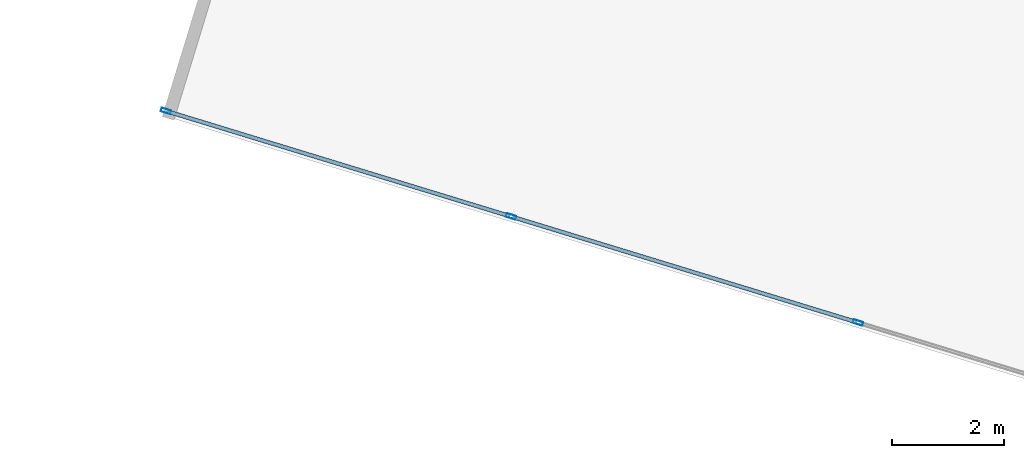
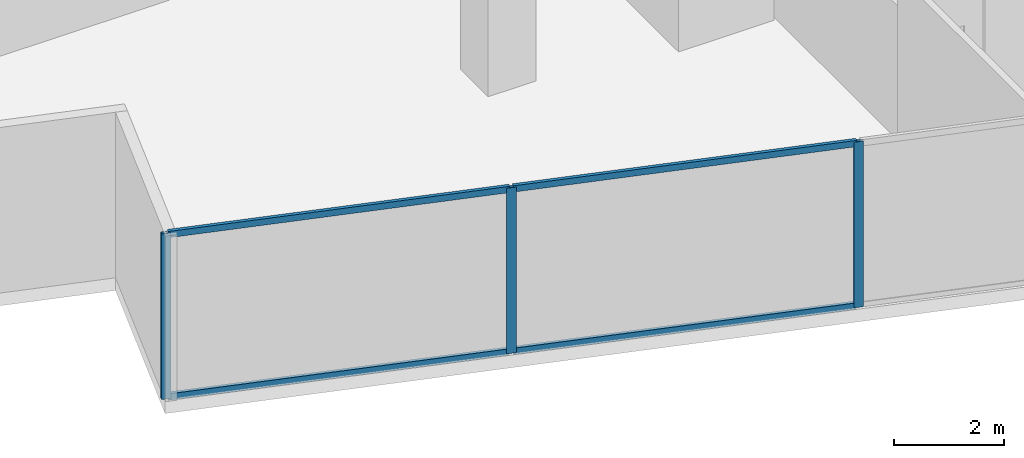
# One storey, part 2 of 26: 7 members, 1 element without a shape of its own.
"""IFC4 building model written with IfcOpenShell, lengths in metres."""

from ifc_helpers import new_model, si_unit, direction, frame, origin, origin_2d, place, context, subcontext, project, spatial, hollow_rectangle, extrude, source, transform, mapped, material, material_profile, profile_set, type_object, type_shapes, element, aggregate, save


model = new_model("IFC4")

# Units and contexts
model_context = context("Model", 3, precision=1e-05, world=origin(), true_north=direction((0.0, 1.0)))
body_context = subcontext(model_context, "Body", "Model", "MODEL_VIEW")
ifc_project = project(units=[si_unit("LENGTHUNIT", "METRE"), si_unit("AREAUNIT", "SQUARE_METRE"), si_unit("VOLUMEUNIT", "CUBIC_METRE"), si_unit("PLANEANGLEUNIT", "RADIAN"), si_unit("MASSUNIT", "GRAM", prefix="KILO")], contexts=[model_context])

# Site, building, storey
site_placement = place(None, origin())
site = spatial("IfcSite", under=ifc_project, at=site_placement, CompositionType="ELEMENT")
building_placement = place(site_placement, origin())
building = spatial("IfcBuilding", under=site, at=building_placement, Name="Krantzveldt Concourse Tower", CompositionType="ELEMENT")
storey_placement = place(building_placement, frame((0.0, 0.0, 113.75)))
storey = spatial("IfcBuildingStorey", under=building, at=storey_placement, Name="L27", CompositionType="ELEMENT", Elevation=113.75)

# Curtain wall, members
ifc_material = material(Name="Anodised aluminium 6063-T6", Category="aluminium")
curtain_wall_type = type_object("IfcCurtainWallType", Name="CW2", PredefinedType="USERDEFINED", material=ifc_material)
curtain_wall_placement = place(storey_placement, origin())
curtain_wall = element("IfcCurtainWall", 1, at=curtain_wall_placement, inside=storey, type_object=curtain_wall_type, Name="CW-L27-F04", ObjectType="UNITISED CURTAIN WALL", PredefinedType="USERDEFINED")
ifc_material_profile_1 = material_profile(ifc_material, hollow_rectangle(XDim=0.070068359375, YDim=0.179931640625, WallThickness=0.0048828125, at=origin_2d()), Name="Anodised aluminium 6063-T6", Category="aluminium")
ifc_profile_set_1 = profile_set([ifc_material_profile_1], Name="Anodised aluminium 6063-T6 - ALU-MULL 180x70x5")
member_type_1 = type_object("IfcMemberType", Name="CW-MUL-180", PredefinedType="MULLION", material=ifc_profile_set_1)
shared_shape_1 = source(origin(), body_context, "Body", "SweptSolid", [
    extrude(hollow_rectangle(XDim=0.070068359375, YDim=0.179931640625, WallThickness=0.0048828125, at=origin_2d()), origin(), (0.0, 0.0, 1.0), 3.669921875),
])
type_shapes(member_type_1, [shared_shape_1])
member_1_placement = place(storey_placement, frame((10.666015625, 10.0703125, 0.0), z_axis=(0.0, 0.0, 1.0), x_axis=(0.292371686864, 0.956304761423, 0.0)))
member_1 = element("IfcMember", 2, at=member_1_placement, type_object=member_type_1, Name="CW-Z12 mullion 1", PredefinedType="MULLION", context=body_context, shape_type="MappedRepresentation", body=[
    mapped(shared_shape_1, transform((0.0, 0.0, 0.0), x_axis=(1.0, 0.0, 0.0), y_axis=(0.0, 1.0, 0.0), z_axis=(0.0, 0.0, 1.0), scale=1.0)),
])
member_2_placement = place(storey_placement, frame((16.816650390625, 8.18994140625, 0.0), z_axis=(0.0, 0.0, 1.0), x_axis=(0.292371686864, 0.956304761423, 0.0)))
member_2 = element("IfcMember", 3, at=member_2_placement, type_object=member_type_1, Name="CW-Z12 mullion 2", PredefinedType="MULLION", context=body_context, shape_type="MappedRepresentation", body=[
    mapped(shared_shape_1, transform((0.0, 0.0, 0.0), x_axis=(1.0, 0.0, 0.0), y_axis=(0.0, 1.0, 0.0), z_axis=(0.0, 0.0, 1.0), scale=1.0)),
])
member_3_placement = place(storey_placement, frame((23.000732421875, 6.29931640625, 0.0), z_axis=(0.0, 0.0, 1.0), x_axis=(0.292371686864, 0.956304761423, 0.0)))
member_3 = element("IfcMember", 4, at=member_3_placement, type_object=member_type_1, Name="CW-Z12 mullion 3", PredefinedType="MULLION", context=body_context, shape_type="MappedRepresentation", body=[
    mapped(shared_shape_1, transform((0.0, 0.0, 0.0), x_axis=(1.0, 0.0, 0.0), y_axis=(0.0, 1.0, 0.0), z_axis=(0.0, 0.0, 1.0), scale=1.0)),
])
ifc_material_profile_2 = material_profile(ifc_material, hollow_rectangle(XDim=0.070068359375, YDim=0.139892578125, WallThickness=0.0048828125, at=origin_2d()), Name="Anodised aluminium 6063-T6", Category="aluminium")
ifc_profile_set_2 = profile_set([ifc_material_profile_2], Name="Anodised aluminium 6063-T6 - ALU-TRAN 140x70x5")
member_type_2 = type_object("IfcMemberType", Name="CW-TRN-150", PredefinedType="USERDEFINED", material=ifc_profile_set_2)
shared_shape_2 = source(origin(), body_context, "Body", "SweptSolid", [
    extrude(hollow_rectangle(XDim=0.070068359375, YDim=0.139892578125, WallThickness=0.0048828125, at=origin_2d()), origin(), (0.0, 0.0, 1.0), 6.361572265625),
])
member_4_placement = place(storey_placement, frame((10.699462890625, 10.06005859375, 0.034912109375), z_axis=(0.956310151395, -0.292354056476, 0.0), x_axis=(0.292354056476, 0.956310151395, 0.0)))
member_4 = element("IfcMember", 5, at=member_4_placement, type_object=member_type_2, Name="CW-Z12 transom 1.1", ObjectType="TRANSOM", PredefinedType="USERDEFINED", context=body_context, shape_type="MappedRepresentation", body=[
    mapped(shared_shape_2, transform((0.0, 0.0, 0.0), x_axis=(1.0, 0.0, 0.0), y_axis=(0.0, 1.0, 0.0), z_axis=(0.0, 0.0, 1.0), scale=1.0)),
])
member_5_placement = place(storey_placement, frame((10.699462890625, 10.06005859375, 3.635009765625), z_axis=(0.956310151395, -0.292354056476, 0.0), x_axis=(0.292354056476, 0.956310151395, 0.0)))
member_5 = element("IfcMember", 6, at=member_5_placement, type_object=member_type_2, Name="CW-Z12 transom 1.2", ObjectType="TRANSOM", PredefinedType="USERDEFINED", context=body_context, shape_type="MappedRepresentation", body=[
    mapped(shared_shape_2, transform((0.0, 0.0, 0.0), x_axis=(1.0, 0.0, 0.0), y_axis=(0.0, 1.0, 0.0), z_axis=(0.0, 0.0, 1.0), scale=1.0)),
])
shared_shape_3 = source(origin(), body_context, "Body", "SweptSolid", [
    extrude(hollow_rectangle(XDim=0.070068359375, YDim=0.139892578125, WallThickness=0.0048828125, at=origin_2d()), origin(), (0.0, 0.0, 1.0), 6.396728515625),
])
type_shapes(member_type_2, [shared_shape_2, shared_shape_3])
member_6_placement = place(storey_placement, frame((16.85009765625, 8.1796875, 0.034912109375), z_axis=(0.956298224466, -0.292393067434, 0.0), x_axis=(0.292393067434, 0.956298224466, 0.0)))
member_6 = element("IfcMember", 7, at=member_6_placement, type_object=member_type_2, Name="CW-Z12 transom 2.1", ObjectType="TRANSOM", PredefinedType="USERDEFINED", context=body_context, shape_type="MappedRepresentation", body=[
    mapped(shared_shape_3, transform((0.0, 0.0, 0.0), x_axis=(1.0, 0.0, 0.0), y_axis=(0.0, 1.0, 0.0), z_axis=(0.0, 0.0, 1.0), scale=1.0)),
])
member_7_placement = place(storey_placement, frame((16.85009765625, 8.1796875, 3.635009765625), z_axis=(0.956298224466, -0.292393067434, 0.0), x_axis=(0.292393067434, 0.956298224466, 0.0)))
member_7 = element("IfcMember", 8, at=member_7_placement, type_object=member_type_2, Name="CW-Z12 transom 2.2", ObjectType="TRANSOM", PredefinedType="USERDEFINED", context=body_context, shape_type="MappedRepresentation", body=[
    mapped(shared_shape_3, transform((0.0, 0.0, 0.0), x_axis=(1.0, 0.0, 0.0), y_axis=(0.0, 1.0, 0.0), z_axis=(0.0, 0.0, 1.0), scale=1.0)),
])
aggregate(curtain_wall, [member_1, member_2, member_3, member_4, member_5, member_6, member_7])

save(model, "model.ifc")
